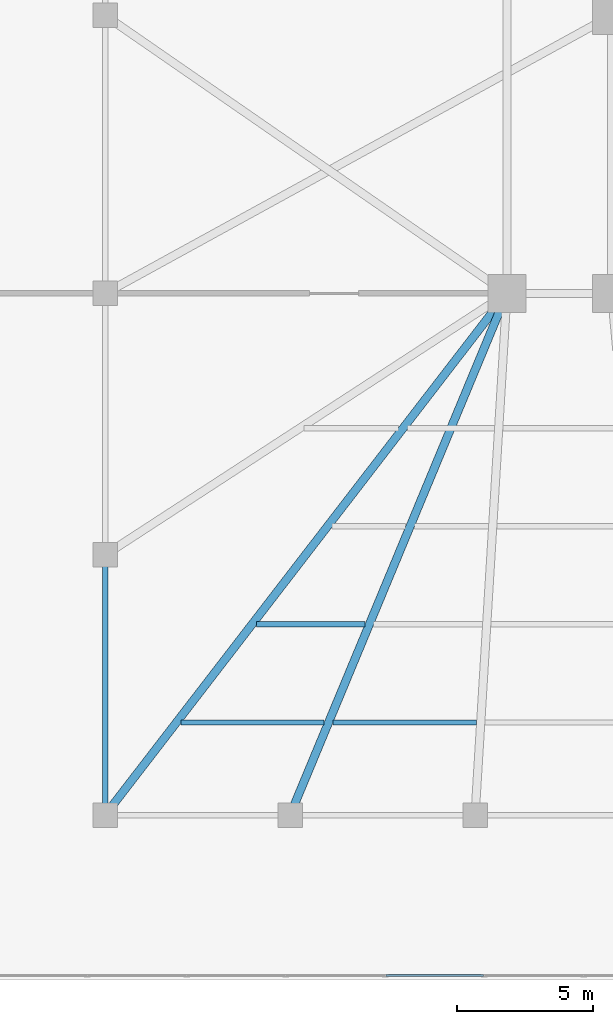
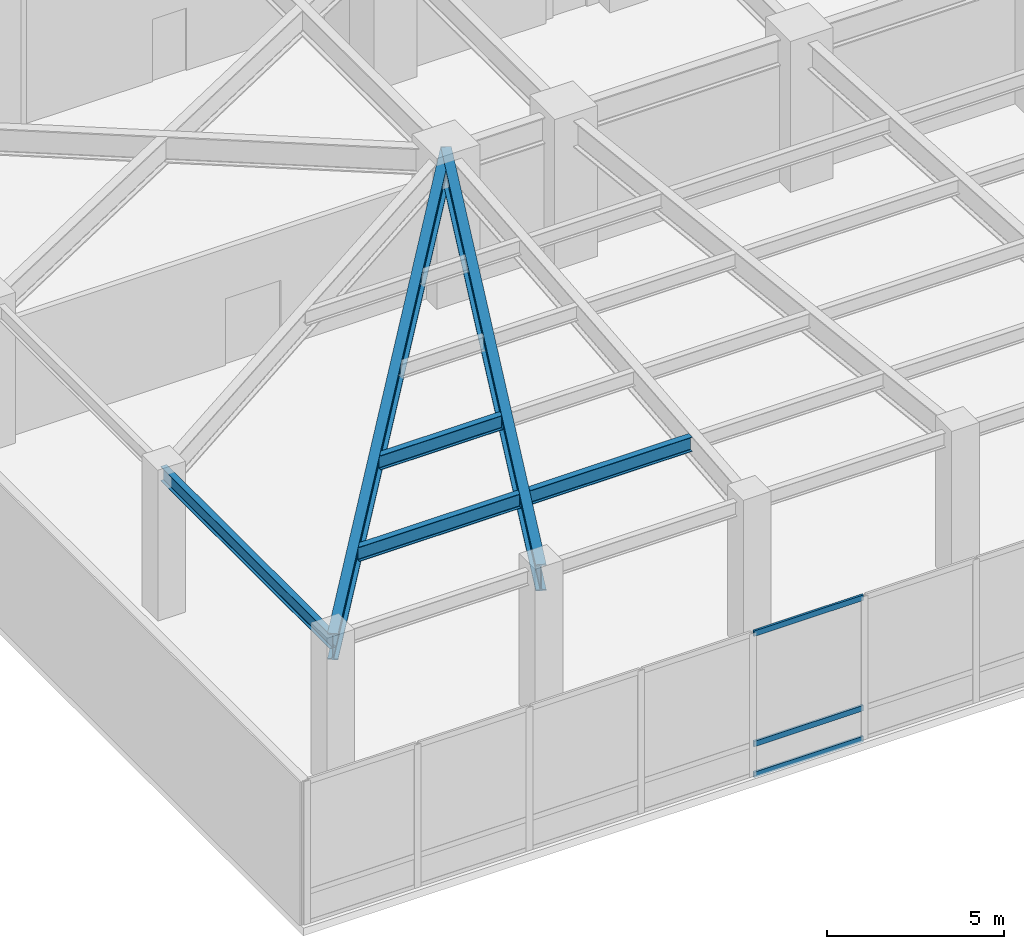
# One storey, part 3 of 19: 6 beams, 3 members, 1 element without a shape of its own.
"""IFC4 building model written with IfcOpenShell, lengths in metres."""

from ifc_helpers import new_model, si_unit, direction, frame, origin, origin_2d, place, context, subcontext, project, spatial, hollow_rectangle, i_section, extrude, material, material_profile, profile_set, type_object, element, aggregate, save


model = new_model("IFC4")

# Units and contexts
model_context = context("Model", 3, precision=1e-05, world=origin(), true_north=direction((0.0, 1.0)))
body_context = subcontext(model_context, "Body", "Model", "MODEL_VIEW")
ifc_project = project(units=[si_unit("LENGTHUNIT", "METRE"), si_unit("AREAUNIT", "SQUARE_METRE"), si_unit("VOLUMEUNIT", "CUBIC_METRE"), si_unit("PLANEANGLEUNIT", "RADIAN"), si_unit("MASSUNIT", "GRAM", prefix="KILO")], contexts=[model_context])

# Site, building, storey
site_placement = place(None, origin())
site = spatial("IfcSite", under=ifc_project, at=site_placement, CompositionType="ELEMENT")
building_placement = place(site_placement, origin())
building = spatial("IfcBuilding", under=site, at=building_placement, Name="Yelkora Congress Tower", CompositionType="ELEMENT")
storey_placement = place(building_placement, frame((0.0, 0.0, 5.199951171875)))
storey = spatial("IfcBuildingStorey", under=building, at=storey_placement, Name="L01", CompositionType="ELEMENT", Elevation=5.199951171875)

# Beams
ifc_material_1 = material(Name="Steel S460M", Category="steel")
ifc_material_profile_1 = material_profile(ifc_material_1, i_section(OverallWidth=0.302001953125, OverallDepth=0.909912109375, WebThickness=0.02099609375, FlangeThickness=0.0400390625, FilletRadius=0.030029296875, at=origin_2d()), Name="HEM 900")
ifc_profile_set_1 = profile_set([ifc_material_profile_1], Name="Steel S460M")
beam_type_1 = type_object("IfcBeamType", Name="BM-HALL-HEM900", PredefinedType="BEAM", material=ifc_profile_set_1)
beam_1_placement = place(storey_placement, frame((4.449951171875, 6.050048828125, 4.485107421875), z_axis=(0.610212418574, 0.792237845737, 0.0), x_axis=(-0.792237845737, 0.610212418574, 0.0)))
element("IfcBeam", 1, at=beam_1_placement, inside=storey, type_object=beam_type_1, Name="L01 Primary Frame Girder PS01", PredefinedType="BEAM", context=body_context, shape_type="SweptSolid", body=[
    extrude(i_section(OverallWidth=0.302001953125, OverallDepth=0.909912109375, WebThickness=0.02099609375, FlangeThickness=0.0400390625, FilletRadius=0.030029296875, at=origin_2d()), origin(), (0.0, 0.0, 1.0), 24.171875),
])
beam_2_placement = place(storey_placement, frame((11.239990234375, 6.050048828125, 4.485107421875), z_axis=(0.383827816401, 0.923404682334, 0.0), x_axis=(-0.923404682334, 0.383827816401, 0.0)))
element("IfcBeam", 2, at=beam_2_placement, inside=storey, type_object=beam_type_1, Name="L01 Primary Frame Girder PS02", PredefinedType="BEAM", context=body_context, shape_type="SweptSolid", body=[
    extrude(i_section(OverallWidth=0.302001953125, OverallDepth=0.909912109375, WebThickness=0.02099609375, FlangeThickness=0.0400390625, FilletRadius=0.030029296875, at=origin_2d()), origin(), (0.0, 0.0, 1.0), 20.73828125),
])
ifc_material_2 = material(Name="Steel S355J2", Category="steel")
ifc_material_profile_2 = material_profile(ifc_material_2, i_section(OverallWidth=0.199951171875, OverallDepth=0.5, WebThickness=0.01025390625, FlangeThickness=0.01611328125, FilletRadius=0.02099609375, at=origin_2d()), Name="IPE 500")
ifc_profile_set_2 = profile_set([ifc_material_profile_2], Name="Steel S355J2")
beam_type_2 = type_object("IfcBeamType", Name="BM-JOIST-IPE500", PredefinedType="JOIST", material=ifc_profile_set_2)
beam_3_placement = place(storey_placement, frame((7.228759765625, 9.449951171875, 4.68994140625), z_axis=(1.0, 0.0, 0.0), x_axis=(0.0, 1.0, 0.0)))
element("IfcBeam", 3, at=beam_3_placement, inside=storey, type_object=beam_type_2, Name="L01 Composite Floor Joist 1", PredefinedType="JOIST", context=body_context, shape_type="SweptSolid", body=[
    extrude(i_section(OverallWidth=0.199951171875, OverallDepth=0.5, WebThickness=0.01025390625, FlangeThickness=0.01611328125, FilletRadius=0.02099609375, at=origin_2d()), origin(), (0.0, 0.0, 1.0), 5.2646484375),
])
beam_4_placement = place(storey_placement, frame((12.813232421875, 9.449951171875, 4.68994140625), z_axis=(1.0, 0.0, 0.0), x_axis=(0.0, 1.0, 0.0)))
element("IfcBeam", 4, at=beam_4_placement, inside=storey, type_object=beam_type_2, Name="L01 Composite Floor Joist 2", PredefinedType="JOIST", context=body_context, shape_type="SweptSolid", body=[
    extrude(i_section(OverallWidth=0.199951171875, OverallDepth=0.5, WebThickness=0.01025390625, FlangeThickness=0.01611328125, FilletRadius=0.02099609375, at=origin_2d()), origin(), (0.0, 0.0, 1.0), 5.264404296875),
])
beam_5_placement = place(storey_placement, frame((10.001708984375, 13.050048828125, 4.68994140625), z_axis=(1.0, 0.0, 0.0), x_axis=(0.0, 1.0, 0.0)))
element("IfcBeam", 5, at=beam_5_placement, inside=storey, type_object=beam_type_2, Name="L01 Composite Floor Joist 11", PredefinedType="JOIST", context=body_context, shape_type="SweptSolid", body=[
    extrude(i_section(OverallWidth=0.199951171875, OverallDepth=0.5, WebThickness=0.01025390625, FlangeThickness=0.01611328125, FilletRadius=0.02099609375, at=origin_2d()), origin(), (0.0, 0.0, 1.0), 3.988037109375),
])
ifc_material_profile_3 = material_profile(ifc_material_2, i_section(OverallWidth=0.199951171875, OverallDepth=0.5, WebThickness=0.01025390625, FlangeThickness=0.01611328125, FilletRadius=0.02099609375, at=origin_2d()), Name="IPE 500")
ifc_profile_set_3 = profile_set([ifc_material_profile_3], Name="Steel S355J2")
beam_type_3 = type_object("IfcBeamType", Name="BM-SPAN-IPE500B", PredefinedType="BEAM", material=ifc_profile_set_3)
beam_6_placement = place(storey_placement, frame((4.449951171875, 15.60009765625, 4.68994140625), z_axis=(0.0, -1.0, 0.0), x_axis=(1.0, 0.0, 0.0)))
element("IfcBeam", 6, at=beam_6_placement, inside=storey, type_object=beam_type_3, Name="L01 Perimeter Beam 1", PredefinedType="BEAM", context=body_context, shape_type="SweptSolid", body=[
    extrude(i_section(OverallWidth=0.199951171875, OverallDepth=0.5, WebThickness=0.01025390625, FlangeThickness=0.01611328125, FilletRadius=0.02099609375, at=origin_2d()), origin(), (0.0, 0.0, 1.0), 9.550048828125),
])

# Curtain wall, members
ifc_material_3 = material(Name="Anodised aluminium and insulated glass", Category="aluminium")
curtain_wall_type = type_object("IfcCurtainWallType", Name="CW-SYS-POD", PredefinedType="NOTDEFINED", material=ifc_material_3)
curtain_wall_placement = place(storey_placement, origin())
curtain_wall = element("IfcCurtainWall", 7, at=curtain_wall_placement, inside=storey, type_object=curtain_wall_type, Name="L01 Podium South Curtain Wall", PredefinedType="NOTDEFINED")
ifc_material_4 = material(Name="Anodised aluminium 6063-T6", Category="aluminium")
ifc_material_profile_4 = material_profile(ifc_material_4, hollow_rectangle(XDim=0.070068359375, YDim=0.18994140625, WallThickness=0.00390625, at=origin_2d()), Name="ALU 70x190x4")
ifc_profile_set_4 = profile_set([ifc_material_profile_4], Name="Anodised aluminium 6063-T6")
member_type = type_object("IfcMemberType", Name="MEM-TR-POD", PredefinedType="USERDEFINED", material=ifc_profile_set_4)
member_1_placement = place(storey_placement, frame((18.33203125, 0.159912109375, 0.03515625), z_axis=(-1.0, 0.0, 0.0), x_axis=(0.0, -1.0, 0.0)))
member_1 = element("IfcMember", 8, at=member_1_placement, type_object=member_type, Name="CW-POD transom 17.1", ObjectType="TRANSOM", PredefinedType="USERDEFINED", context=body_context, shape_type="SweptSolid", body=[
    extrude(hollow_rectangle(XDim=0.070068359375, YDim=0.18994140625, WallThickness=0.00390625, at=origin_2d()), origin(), (0.0, 0.0, 1.0), 3.56689453125),
])
member_2_placement = place(storey_placement, frame((18.33203125, 0.159912109375, 1.10009765625), z_axis=(-1.0, 0.0, 0.0), x_axis=(0.0, -1.0, 0.0)))
member_2 = element("IfcMember", 9, at=member_2_placement, type_object=member_type, Name="CW-POD transom 17.2", ObjectType="TRANSOM", PredefinedType="USERDEFINED", context=body_context, shape_type="SweptSolid", body=[
    extrude(hollow_rectangle(XDim=0.070068359375, YDim=0.18994140625, WallThickness=0.00390625, at=origin_2d()), origin(), (0.0, 0.0, 1.0), 3.56689453125),
])
member_3_placement = place(storey_placement, frame((18.33203125, 0.159912109375, 4.905029296875), z_axis=(-1.0, 0.0, 0.0), x_axis=(0.0, -1.0, 0.0)))
member_3 = element("IfcMember", 10, at=member_3_placement, type_object=member_type, Name="CW-POD transom 17.3", ObjectType="TRANSOM", PredefinedType="USERDEFINED", context=body_context, shape_type="SweptSolid", body=[
    extrude(hollow_rectangle(XDim=0.070068359375, YDim=0.18994140625, WallThickness=0.00390625, at=origin_2d()), origin(), (0.0, 0.0, 1.0), 3.56689453125),
])
aggregate(curtain_wall, [member_1, member_2, member_3])

save(model, "model.ifc")
